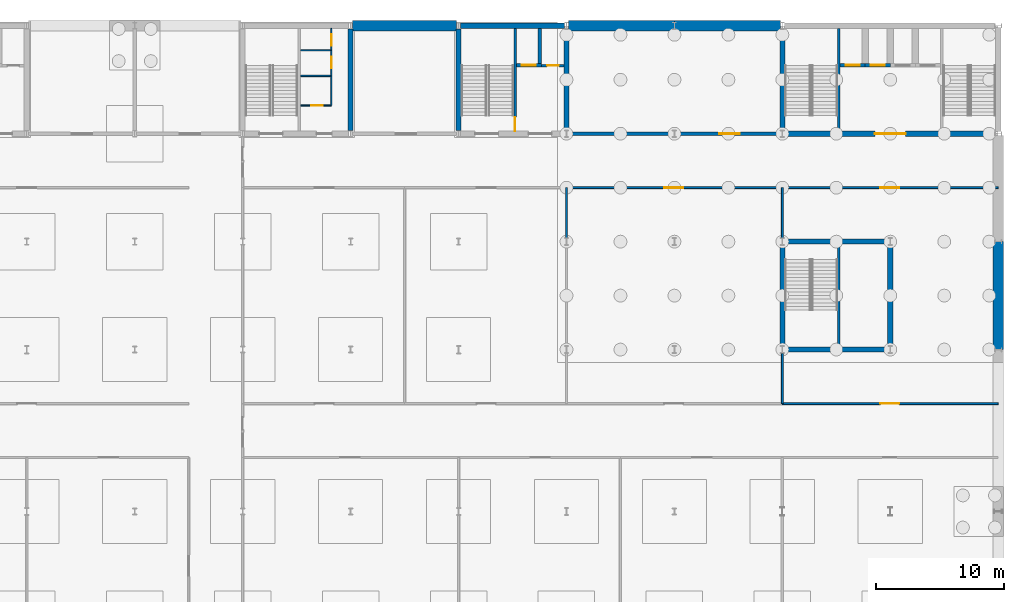
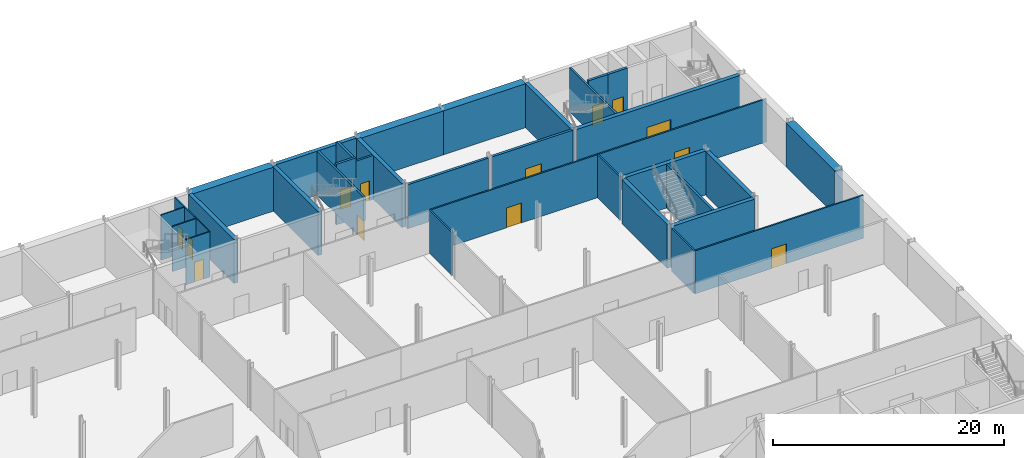
# One storey, part 18 of 22: 36 walls, 13 doors, 13 openings.
"""IFC4 building model written with IfcOpenShell, lengths in metres."""

from ifc_helpers import new_model, si_unit, direction, frame, frame_2d, origin, place, context, subcontext, project, spatial, rectangle, extrude, material, layer, layer_set, type_object, element, fill, save


model = new_model("IFC4")

# Units and contexts
model_context = context("Model", 3, precision=1e-05, world=origin(), true_north=direction((0.0, 1.0)))
body_context = subcontext(model_context, "Body", "Model", "MODEL_VIEW")
ifc_project = project(units=[si_unit("LENGTHUNIT", "METRE"), si_unit("AREAUNIT", "SQUARE_METRE"), si_unit("VOLUMEUNIT", "CUBIC_METRE"), si_unit("PLANEANGLEUNIT", "RADIAN"), si_unit("MASSUNIT", "GRAM", prefix="KILO")], contexts=[model_context])

# Site, building, storey
site_placement = place(None, origin())
site = spatial("IfcSite", under=ifc_project, at=site_placement, CompositionType="ELEMENT")
building_placement = place(site_placement, origin())
building = spatial("IfcBuilding", under=site, at=building_placement, Name="Galleria Vessillo Department Store", CompositionType="ELEMENT")
storey_placement = place(building_placement, frame((0.0, 0.0, -9.89990234375)))
storey = spatial("IfcBuildingStorey", under=building, at=storey_placement, Name="B2", CompositionType="ELEMENT", Elevation=-9.89990234375)

# Walls
ifc_material_1 = material(Name="Concrete C32/40 reinforced", Category="concrete")
ifc_layer_1 = layer(ifc_material_1, 0.800048828125)
ifc_layer_set_1 = layer_set([ifc_layer_1], Name="Concrete C32/40 reinforced")
wall_type_1 = type_object("IfcWallType", Name="Diaphragm wall 800 mm", PredefinedType="SOLIDWALL", material=ifc_layer_set_1)
wall_1_placement = place(storey_placement, frame((67.349853515625, 63.0, 0.0), z_axis=(0.0, 0.0, 1.0), x_axis=(1.0, 0.0, 0.0)))
element("IfcWall", 1, at=wall_1_placement, inside=storey, type_object=wall_type_1, Name="S-BW-N-B2-06", PredefinedType="SOLIDWALL", context=body_context, shape_type="SweptSolid", body=[
    extrude(rectangle(XDim=8.100341796875, YDim=0.800048828125, at=frame_2d((4.05029296875, 0.0))), origin(), (0.0, 0.0, 1.0), 4.64990234375),
])
wall_2_placement = place(storey_placement, frame((84.153076171875, 63.0, 0.0), z_axis=(0.0, 0.0, 1.0), x_axis=(1.0, 0.0, 0.0)))
element("IfcWall", 2, at=wall_2_placement, inside=storey, type_object=wall_type_1, Name="S-BW-N-B2-07", PredefinedType="SOLIDWALL", context=body_context, shape_type="SweptSolid", body=[
    extrude(rectangle(XDim=8.246826171875, YDim=0.800048828125, at=frame_2d((4.12353515625, 0.0))), origin(), (0.0, 0.0, 1.0), 4.64990234375),
])
wall_3_placement = place(storey_placement, frame((92.39990234375, 63.0, 0.0), z_axis=(0.0, 0.0, 1.0), x_axis=(1.0, 0.0, 0.0)))
element("IfcWall", 3, at=wall_3_placement, inside=storey, type_object=wall_type_1, Name="S-BW-N-B2-08", PredefinedType="SOLIDWALL", context=body_context, shape_type="SweptSolid", body=[
    extrude(rectangle(XDim=8.2470703125, YDim=0.800048828125, at=frame_2d((4.12353515625, 0.0))), origin(), (0.0, 0.0, 1.0), 4.64990234375),
])
wall_4_placement = place(storey_placement, frame((117.60009765625, 37.800048828125, 0.0), z_axis=(0.0, 0.0, 1.0), x_axis=(0.0, 1.0, 0.0)))
element("IfcWall", 4, at=wall_4_placement, inside=storey, type_object=wall_type_1, Name="S-BW-E-B2-04", PredefinedType="SOLIDWALL", context=body_context, shape_type="SweptSolid", body=[
    extrude(rectangle(XDim=8.39990234375, YDim=0.800048828125, at=frame_2d((4.199951171875, 0.0))), origin(), (0.0, 0.0, 1.0), 4.64990234375),
])

# Wall, opening, door
ifc_material_2 = material(Name="Solid clay block masonry", Category="masonry")
ifc_layer_2 = layer(ifc_material_2, 0.25)
ifc_layer_set_2 = layer_set([ifc_layer_2], Name="Solid clay block masonry")
wall_type_2 = type_object("IfcWallType", Name="Lift shaft wall 250 mm", PredefinedType="SOLIDWALL", material=ifc_layer_set_2)
wall_5_placement = place(storey_placement, frame((80.10009765625, 59.925048828125, -1.400146484375), z_axis=(0.0, 0.0, 1.0), x_axis=(1.0, 0.0, 0.0)))
wall_5 = element("IfcWall", 5, at=wall_5_placement, inside=storey, type_object=wall_type_2, Name="Lift shaft wall LP6 landing side B2", PredefinedType="SOLIDWALL", context=body_context, shape_type="SweptSolid", body=[
    extrude(rectangle(XDim=1.949951171875, YDim=0.25, at=frame_2d((0.97509765625, 0.0))), origin(), (0.0, 0.0, 1.0), 6.400146484375),
])
opening_1_placement = place(wall_5_placement, frame((0.4248046875, 0.0, 1.400146484375)))
opening_1 = element("IfcOpeningElement", 6, at=opening_1_placement, cuts=wall_5, Name="Opening LD041", PredefinedType="OPENING", context=body_context, shape_type="SweptSolid", body=[
    extrude(rectangle(XDim=1.10009765625, YDim=2.10009765625, at=frame_2d((0.550048828125, 1.050048828125))), frame((0.0, 0.135009765625, 0.0), z_axis=(0.0, -1.0, 0.0), x_axis=(1.0, 0.0, 0.0)), (0.0, 0.0, 1.0), 0.27001953125),
])
ifc_material_3 = material(Name="Stainless steel lift door panel", Category="steel")
door_type_1 = type_object("IfcDoorType", Name="Lift landing door LD110 sliding 1100 x 2100", OperationType="SLIDING_TO_LEFT", PredefinedType="DOOR", material=ifc_material_3)
door_1_placement = place(opening_1_placement, frame((1.10009765625, 0.0, 0.0), z_axis=(0.0, 0.0, 1.0), x_axis=(-1.0, 0.0, 0.0)))
door_1 = element("IfcDoor", 7, at=door_1_placement, inside=storey, type_object=door_type_1, Name="Lift landing door LP6 B2", OperationType="SLIDING_TO_RIGHT", OverallHeight=2.10009765625, OverallWidth=1.10009765625, PredefinedType="DOOR", context=body_context, shape_type="SweptSolid", body=[
    extrude(rectangle(XDim=1.10009765625, YDim=2.10009765625, at=frame_2d((0.550048828125, 1.050048828125))), frame((0.0, 0.02490234375, 0.0), z_axis=(0.0, -1.0, 0.0), x_axis=(1.0, 0.0, 0.0)), (0.0, 0.0, 1.0), 0.050048828125),
])
fill(opening_1, door_1)

# Wall
wall_6_placement = place(storey_placement, frame((81.925048828125, 62.800048828125, -1.400146484375), z_axis=(0.0, 0.0, 1.0), x_axis=(0.0, -1.0, 0.0)))
element("IfcWall", 8, at=wall_6_placement, inside=storey, type_object=wall_type_2, Name="Lift shaft wall LP6 B2", PredefinedType="SOLIDWALL", context=body_context, shape_type="SweptSolid", body=[
    extrude(rectangle(XDim=2.75, YDim=0.25, at=frame_2d((1.375, 0.0))), origin(), (0.0, 0.0, 1.0), 6.400146484375),
])

# Wall, opening, door
wall_7_placement = place(storey_placement, frame((105.300048828125, 59.925048828125, -1.400146484375), z_axis=(0.0, 0.0, 1.0), x_axis=(1.0, 0.0, 0.0)))
wall_7 = element("IfcWall", 9, at=wall_7_placement, inside=storey, type_object=wall_type_2, Name="Lift shaft wall T1 landing side B2", PredefinedType="SOLIDWALL", context=body_context, shape_type="SweptSolid", body=[
    extrude(rectangle(XDim=1.949951171875, YDim=0.25, at=frame_2d((0.97509765625, 0.0))), origin(), (0.0, 0.0, 1.0), 6.400146484375),
])
opening_2_placement = place(wall_7_placement, frame((0.4248046875, 0.0, 1.400146484375)))
opening_2 = element("IfcOpeningElement", 10, at=opening_2_placement, cuts=wall_7, Name="Opening LD065", PredefinedType="OPENING", context=body_context, shape_type="SweptSolid", body=[
    extrude(rectangle(XDim=1.10009765625, YDim=2.10009765625, at=frame_2d((0.550048828125, 1.050048828125))), frame((0.0, 0.135009765625, 0.0), z_axis=(0.0, -1.0, 0.0), x_axis=(1.0, 0.0, 0.0)), (0.0, 0.0, 1.0), 0.27001953125),
])
door_2_placement = place(opening_2_placement, frame((1.10009765625, 0.0, 0.0), z_axis=(0.0, 0.0, 1.0), x_axis=(-1.0, 0.0, 0.0)))
door_2 = element("IfcDoor", 11, at=door_2_placement, inside=storey, type_object=door_type_1, Name="Lift landing door T1 B2", OperationType="SLIDING_TO_RIGHT", OverallHeight=2.10009765625, OverallWidth=1.10009765625, PredefinedType="DOOR", context=body_context, shape_type="SweptSolid", body=[
    extrude(rectangle(XDim=1.10009765625, YDim=2.10009765625, at=frame_2d((0.550048828125, 1.050048828125))), frame((0.0, 0.02490234375, 0.0), z_axis=(0.0, -1.0, 0.0), x_axis=(1.0, 0.0, 0.0)), (0.0, 0.0, 1.0), 0.050048828125),
])
fill(opening_2, door_2)

wall_8_placement = place(storey_placement, frame((107.25, 59.925048828125, -1.400146484375), z_axis=(0.0, 0.0, 1.0), x_axis=(1.0, 0.0, 0.0)))
wall_8 = element("IfcWall", 12, at=wall_8_placement, inside=storey, type_object=wall_type_2, Name="Lift shaft wall T2 landing side B2", PredefinedType="SOLIDWALL", context=body_context, shape_type="SweptSolid", body=[
    extrude(rectangle(XDim=1.949951171875, YDim=0.25, at=frame_2d((0.97509765625, 0.0))), origin(), (0.0, 0.0, 1.0), 6.400146484375),
])
opening_3_placement = place(wall_8_placement, frame((0.425048828125, 0.0, 1.400146484375)))
opening_3 = element("IfcOpeningElement", 13, at=opening_3_placement, cuts=wall_8, Name="Opening LD066", PredefinedType="OPENING", context=body_context, shape_type="SweptSolid", body=[
    extrude(rectangle(XDim=1.10009765625, YDim=2.10009765625, at=frame_2d((0.550048828125, 1.050048828125))), frame((0.0, 0.135009765625, 0.0), z_axis=(0.0, -1.0, 0.0), x_axis=(1.0, 0.0, 0.0)), (0.0, 0.0, 1.0), 0.27001953125),
])
door_3_placement = place(opening_3_placement, frame((1.10009765625, 0.0, 0.0), z_axis=(0.0, 0.0, 1.0), x_axis=(-1.0, 0.0, 0.0)))
door_3 = element("IfcDoor", 14, at=door_3_placement, inside=storey, type_object=door_type_1, Name="Lift landing door T2 B2", OperationType="SLIDING_TO_RIGHT", OverallHeight=2.10009765625, OverallWidth=1.10009765625, PredefinedType="DOOR", context=body_context, shape_type="SweptSolid", body=[
    extrude(rectangle(XDim=1.10009765625, YDim=2.10009765625, at=frame_2d((0.550048828125, 1.050048828125))), frame((0.0, 0.02490234375, 0.0), z_axis=(0.0, -1.0, 0.0), x_axis=(1.0, 0.0, 0.0)), (0.0, 0.0, 1.0), 0.050048828125),
])
fill(opening_3, door_3)

# Wall
ifc_material_4 = material(Name="Brick masonry", Category="masonry")
ifc_layer_3 = layer(ifc_material_4, 0.25)
ifc_layer_set_3 = layer_set([ifc_layer_3], Name="Brick masonry")
wall_type_3 = type_object("IfcWallType", Name="Plant room masonry wall 250 mm", PredefinedType="SOLIDWALL", material=ifc_layer_set_3)
wall_9_placement = place(storey_placement, frame((84.153076171875, 54.60009765625, 0.0), z_axis=(0.0, 0.0, 1.0), x_axis=(1.0, 0.0, 0.0)))
element("IfcWall", 15, at=wall_9_placement, inside=storey, type_object=wall_type_3, Name="Partition wall PT10 on B2 no. 062", PredefinedType="SOLIDWALL", context=body_context, shape_type="SweptSolid", body=[
    extrude(rectangle(XDim=8.09375, YDim=0.25, at=frame_2d((4.046875, 0.0))), origin(), (0.0, 0.0, 1.0), 4.64990234375),
])

# Wall, opening, door
wall_10_placement = place(storey_placement, frame((92.552978515625, 54.60009765625, 0.0), z_axis=(0.0, 0.0, 1.0), x_axis=(1.0, 0.0, 0.0)))
wall_10 = element("IfcWall", 16, at=wall_10_placement, inside=storey, type_object=wall_type_3, Name="Partition wall PT10 on B2 no. 063", PredefinedType="SOLIDWALL", context=body_context, shape_type="SweptSolid", body=[
    extrude(rectangle(XDim=8.093994140625, YDim=0.25, at=frame_2d((4.046875, 0.0))), origin(), (0.0, 0.0, 1.0), 4.64990234375),
])
opening_4_placement = place(wall_10_placement, frame((3.35009765625, 0.0, 0.0)))
opening_4 = element("IfcOpeningElement", 17, at=opening_4_placement, cuts=wall_10, Name="Opening D2058", PredefinedType="OPENING", context=body_context, shape_type="SweptSolid", body=[
    extrude(rectangle(XDim=1.60009765625, YDim=2.199951171875, at=frame_2d((0.800048828125, 1.10009765625))), frame((0.0, 0.135009765625, 0.0), z_axis=(0.0, -1.0, 0.0), x_axis=(1.0, 0.0, 0.0)), (0.0, 0.0, 1.0), 0.27001953125),
])
ifc_material_5 = material(Name="Steel fire door leaf", Category="steel")
door_type_2 = type_object("IfcDoorType", Name="Plant room fire door 1600 x 2200 double leaf", OperationType="DOUBLE_DOOR_SINGLE_SWING", PredefinedType="DOOR", material=ifc_material_5)
door_4_placement = place(opening_4_placement, origin())
door_4 = element("IfcDoor", 18, at=door_4_placement, inside=storey, type_object=door_type_2, Name="Door D2058", OperationType="DOUBLE_DOOR_SINGLE_SWING", OverallHeight=2.199951171875, OverallWidth=1.60009765625, PredefinedType="DOOR", context=body_context, shape_type="SweptSolid", body=[
    extrude(rectangle(XDim=1.60009765625, YDim=2.199951171875, at=frame_2d((0.800048828125, 1.10009765625))), frame((0.0, 0.02490234375, 0.0), z_axis=(0.0, -1.0, 0.0), x_axis=(1.0, 0.0, 0.0)), (0.0, 0.0, 1.0), 0.050048828125),
])
fill(opening_4, door_4)

# Walls
ifc_material_6 = material(Name="Concrete C32/40 reinforced", Category="concrete")
ifc_layer_4 = layer(ifc_material_6, 0.39990234375)
ifc_layer_set_4 = layer_set([ifc_layer_4], Name="Concrete C32/40 reinforced")
wall_type_4 = type_object("IfcWallType", Name="Reinforced concrete core wall 400 mm", PredefinedType="SHEAR", material=ifc_layer_set_4)
wall_11_placement = place(storey_placement, frame((75.60009765625, 54.85009765625, 0.0), z_axis=(0.0, 0.0, 1.0), x_axis=(0.0, 1.0, 0.0)))
element("IfcWall", 19, at=wall_11_placement, inside=storey, type_object=wall_type_4, Name="S-CW-PC-NE-WEST-B2", PredefinedType="SHEAR", context=body_context, shape_type="SweptSolid", body=[
    extrude(rectangle(XDim=7.89990234375, YDim=0.39990234375, at=frame_2d((3.949951171875, 0.0))), origin(), (0.0, 0.0, 1.0), 4.64990234375),
])
wall_12_placement = place(storey_placement, frame((84.0, 54.885986328125, 0.0), z_axis=(0.0, 0.0, 1.0), x_axis=(0.0, 1.0, 0.0)))
element("IfcWall", 20, at=wall_12_placement, inside=storey, type_object=wall_type_4, Name="S-CW-PC-NE-EAST-B2", PredefinedType="SHEAR", context=body_context, shape_type="SweptSolid", body=[
    extrude(rectangle(XDim=7.828125, YDim=0.39990234375, at=frame_2d((3.9140625, 0.0))), origin(), (0.0, 0.0, 1.0), 4.64990234375),
])
wall_13_placement = place(storey_placement, frame((67.199951171875, 54.85009765625, 0.0), z_axis=(0.0, 0.0, 1.0), x_axis=(0.0, 1.0, 0.0)))
element("IfcWall", 21, at=wall_13_placement, inside=storey, type_object=wall_type_4, Name="S-CW-PC-NC-EAST-B2", PredefinedType="SHEAR", context=body_context, shape_type="SweptSolid", body=[
    extrude(rectangle(XDim=7.89990234375, YDim=0.39990234375, at=frame_2d((3.949951171875, 0.0))), origin(), (0.0, 0.0, 1.0), 4.64990234375),
])

# Wall, opening, door
wall_14_placement = place(storey_placement, frame((100.953125, 54.60009765625, 0.0), z_axis=(0.0, 0.0, 1.0), x_axis=(1.0, 0.0, 0.0)))
wall_14 = element("IfcWall", 22, at=wall_14_placement, inside=storey, type_object=wall_type_4, Name="S-CW-TC-INTERIOR-B2", PredefinedType="SHEAR", context=body_context, shape_type="SweptSolid", body=[
    extrude(rectangle(XDim=16.361083984375, YDim=0.39990234375, at=frame_2d((8.1806640625, 0.0))), origin(), (0.0, 0.0, 1.0), 4.64990234375),
])
opening_5_placement = place(wall_14_placement, frame((7.046875, 0.0, 0.0)))
opening_5 = element("IfcOpeningElement", 23, at=opening_5_placement, cuts=wall_14, Name="Opening D5259", PredefinedType="OPENING", context=body_context, shape_type="SweptSolid", body=[
    extrude(rectangle(XDim=2.39990234375, YDim=2.39990234375, at=frame_2d((1.199951171875, 1.199951171875))), frame((0.0, 0.2099609375, 0.0), z_axis=(0.0, -1.0, 0.0), x_axis=(1.0, 0.0, 0.0)), (0.0, 0.0, 1.0), 0.419921875),
])
ifc_material_7 = material(Name="Fire-rated steel door leaf", Category="steel")
door_type_3 = type_object("IfcDoorType", Name="Door D240F double leaf 2400 x 2400", OperationType="DOUBLE_DOOR_SINGLE_SWING", PredefinedType="DOOR", material=ifc_material_7)
door_5_placement = place(opening_5_placement, frame((2.39990234375, 0.0, 0.0), z_axis=(0.0, 0.0, 1.0), x_axis=(-1.0, 0.0, 0.0)))
door_5 = element("IfcDoor", 24, at=door_5_placement, inside=storey, type_object=door_type_3, Name="Lobby door TC-LOBBY-FLOOR B2", OperationType="DOUBLE_DOOR_SINGLE_SWING", OverallHeight=2.39990234375, OverallWidth=2.39990234375, PredefinedType="DOOR", context=body_context, shape_type="SweptSolid", body=[
    extrude(rectangle(XDim=2.39990234375, YDim=2.39990234375, at=frame_2d((1.199951171875, 1.199951171875))), frame((0.0, 0.02490234375, 0.0), z_axis=(0.0, -1.0, 0.0), x_axis=(1.0, 0.0, 0.0)), (0.0, 0.0, 1.0), 0.050048828125),
])
fill(opening_5, door_5)

# Walls
wall_15_placement = place(storey_placement, frame((100.800048828125, 54.885986328125, 0.0), z_axis=(0.0, 0.0, 1.0), x_axis=(0.0, 1.0, 0.0)))
element("IfcWall", 25, at=wall_15_placement, inside=storey, type_object=wall_type_4, Name="S-CW-TC-WEST-B2", PredefinedType="SHEAR", context=body_context, shape_type="SweptSolid", body=[
    extrude(rectangle(XDim=7.828125, YDim=0.39990234375, at=frame_2d((3.9140625, 0.0))), origin(), (0.0, 0.0, 1.0), 4.64990234375),
])
for number, where, z_axis, x_axis, name in (
    (26, (100.953125, 37.800048828125, 0.0), (0.0, 0.0, 1.0), (1.0, 0.0, 0.0), "S-CW-TS-PARTY-B2"),
    (27, (100.953125, 46.199951171875, 0.0), (0.0, 0.0, 1.0), (1.0, 0.0, 0.0), "S-CW-TS-INTERIOR-B2"),
):
    element("IfcWall", number, at=place(storey_placement, frame(where, z_axis=z_axis, x_axis=x_axis)), inside=storey, type_object=wall_type_4, Name=name, PredefinedType="SHEAR", context=body_context, shape_type="SweptSolid", body=[
        extrude(rectangle(XDim=8.09375, YDim=0.39990234375, at=frame_2d((4.046875, 0.0))), origin(), (0.0, 0.0, 1.0), 4.64990234375),
    ])
for number, where, z_axis, x_axis, name in (
    (28, (100.800048828125, 38.0859375, 0.0), (0.0, 0.0, 1.0), (0.0, 1.0, 0.0), "S-CW-TS-WEST-B2"),
    (29, (109.199951171875, 38.0859375, 0.0), (0.0, 0.0, 1.0), (0.0, 1.0, 0.0), "S-CW-TS-EAST-B2"),
):
    element("IfcWall", number, at=place(storey_placement, frame(where, z_axis=z_axis, x_axis=x_axis)), inside=storey, type_object=wall_type_4, Name=name, PredefinedType="SHEAR", context=body_context, shape_type="SweptSolid", body=[
        extrude(rectangle(XDim=7.828125, YDim=0.39990234375, at=frame_2d((3.9140625, 0.0))), origin(), (0.0, 0.0, 1.0), 4.64990234375),
    ])
ifc_material_8 = material(Name="Concrete C32/40 reinforced", Category="concrete")
ifc_layer_5 = layer(ifc_material_8, 0.39990234375)
ifc_layer_set_5 = layer_set([ifc_layer_5], Name="Concrete C32/40 reinforced")
wall_type_5 = type_object("IfcWallType", Name="Reinforced concrete core wall 400 mm, external", PredefinedType="SHEAR", material=ifc_layer_set_5)
wall_16_placement = place(storey_placement, frame((75.75, 63.0, 0.0), z_axis=(0.0, 0.0, 1.0), x_axis=(1.0, 0.0, 0.0)))
element("IfcWall", 30, at=wall_16_placement, inside=storey, type_object=wall_type_5, Name="S-CW-PC-NE-PARTY-B2", PredefinedType="SHEAR", context=body_context, shape_type="SweptSolid", body=[
    extrude(rectangle(XDim=8.096923828125, YDim=0.39990234375, at=frame_2d((4.04833984375, 0.0))), origin(), (0.0, 0.0, 1.0), 4.64990234375),
])

# Wall, opening, door
ifc_material_9 = material(Name="Concrete C32/40 reinforced", Category="concrete")
ifc_layer_6 = layer(ifc_material_9, 0.199951171875)
ifc_layer_set_6 = layer_set([ifc_layer_6], Name="Concrete C32/40 reinforced")
wall_type_6 = type_object("IfcWallType", Name="Reinforced concrete stair enclosure wall 200 mm", PredefinedType="SHEAR", material=ifc_layer_set_6)
wall_17_placement = place(storey_placement, frame((80.0, 62.800048828125, 0.0), z_axis=(0.0, 0.0, 1.0), x_axis=(0.0, -1.0, 0.0)))
wall_17 = element("IfcWall", 31, at=wall_17_placement, inside=storey, type_object=wall_type_6, Name="Stair enclosure wall PC-NE B2", PredefinedType="SHEAR", context=body_context, shape_type="SweptSolid", body=[
    extrude(rectangle(XDim=8.0, YDim=0.199951171875, at=frame_2d((4.0, 0.0))), origin(), (0.0, 0.0, 1.0), 4.64990234375),
])
opening_6_placement = place(wall_17_placement, frame((6.89990234375, 0.0, 0.0)))
opening_6 = element("IfcOpeningElement", 32, at=opening_6_placement, cuts=wall_17, Name="Opening D5158", PredefinedType="OPENING", context=body_context, shape_type="SweptSolid", body=[
    extrude(rectangle(XDim=1.11009765625, YDim=2.10009765625, at=frame_2d((0.554931640625, 1.050048828125))), frame((0.0, 0.10986328125, 0.0), z_axis=(0.0, -1.0, 0.0), x_axis=(1.0, 0.0, 0.0)), (0.0, 0.0, 1.0), 0.219970703125),
])
ifc_material_10 = material(Name="Fire-rated steel door leaf", Category="steel")
door_type_4 = type_object("IfcDoorType", Name="Door D110F stair door 1100 x 2100", OperationType="SINGLE_SWING_LEFT", PredefinedType="DOOR", material=ifc_material_10)
door_6_placement = place(opening_6_placement, frame((1.10009765625, 0.0, 0.0), z_axis=(0.0, 0.0, 1.0), x_axis=(-1.0, 0.0, 0.0)))
door_6 = element("IfcDoor", 33, at=door_6_placement, inside=storey, type_object=door_type_4, Name="Stair door PC-NE-ST-LOBBY B2", OperationType="SINGLE_SWING_LEFT", OverallHeight=2.10009765625, OverallWidth=1.10009765625, PredefinedType="DOOR", context=body_context, shape_type="SweptSolid", body=[
    extrude(rectangle(XDim=1.10009765625, YDim=2.10009765625, at=frame_2d((0.550048828125, 1.050048828125))), frame((0.0, 0.02490234375, 0.0), z_axis=(0.0, -1.0, 0.0), x_axis=(1.0, 0.0, 0.0)), (0.0, 0.0, 1.0), 0.050048828125),
])
fill(opening_6, door_6)

# Walls
for number, where, z_axis, x_axis, name in (
    (34, (105.199951171875, 62.800048828125, 0.0), (0.0, 0.0, 1.0), (0.0, -1.0, 0.0), "Stair enclosure wall TC B2"),
    (35, (105.199951171875, 38.0, 0.0), (0.0, 0.0, 1.0), (0.0, 1.0, 0.0), "Stair enclosure wall TS B2"),
):
    element("IfcWall", number, at=place(storey_placement, frame(where, z_axis=z_axis, x_axis=x_axis)), inside=storey, type_object=wall_type_6, Name=name, PredefinedType="SHEAR", context=body_context, shape_type="SweptSolid", body=[
        extrude(rectangle(XDim=8.0, YDim=0.199951171875, at=frame_2d((4.0, 0.0))), origin(), (0.0, 0.0, 1.0), 4.64990234375),
    ])

# Wall, opening, door
ifc_material_11 = material(Name="Hollow clay block masonry", Category="masonry")
ifc_layer_7 = layer(ifc_material_11, 0.199951171875)
ifc_layer_set_7 = layer_set([ifc_layer_7], Name="Hollow clay block masonry")
wall_type_7 = type_object("IfcWallType", Name="Riser and service room wall 200 mm", PredefinedType="PARTITIONING", material=ifc_layer_set_7)
wall_18_placement = place(storey_placement, frame((82.050048828125, 59.900146484375, 0.0), z_axis=(0.0, 0.0, 1.0), x_axis=(1.0, 0.0, 0.0)))
wall_18 = element("IfcWall", 36, at=wall_18_placement, inside=storey, type_object=wall_type_7, Name="Riser wall PC-NE-RISER B2", PredefinedType="PARTITIONING", context=body_context, shape_type="SweptSolid", body=[
    extrude(rectangle(XDim=1.75, YDim=0.199951171875, at=frame_2d((0.875, 0.0))), origin(), (0.0, 0.0, 1.0), 4.64990234375),
])
opening_7_placement = place(wall_18_placement, frame((0.449951171875, 0.0, 0.0)))
opening_7 = element("IfcOpeningElement", 37, at=opening_7_placement, cuts=wall_18, Name="Opening D5159", PredefinedType="OPENING", context=body_context, shape_type="SweptSolid", body=[
    extrude(rectangle(XDim=0.89990234375, YDim=2.10009765625, at=frame_2d((0.449951171875, 1.050048828125))), frame((0.0, 0.10986328125, 0.0), z_axis=(0.0, -1.0, 0.0), x_axis=(1.0, 0.0, 0.0)), (0.0, 0.0, 1.0), 0.219970703125),
])
ifc_material_12 = material(Name="Fire-rated steel door leaf", Category="steel")
door_type_5 = type_object("IfcDoorType", Name="Door DR90 riser access 900 x 2100", OperationType="SINGLE_SWING_LEFT", PredefinedType="DOOR", material=ifc_material_12)
door_7_placement = place(opening_7_placement, origin())
door_7 = element("IfcDoor", 38, at=door_7_placement, inside=storey, type_object=door_type_5, Name="Riser door PC-NE-RISER-D B2", OperationType="SINGLE_SWING_RIGHT", OverallHeight=2.10009765625, OverallWidth=0.89990234375, PredefinedType="DOOR", context=body_context, shape_type="SweptSolid", body=[
    extrude(rectangle(XDim=0.89990234375, YDim=2.10009765625, at=frame_2d((0.449951171875, 1.050048828125))), frame((0.0, 0.02490234375, 0.0), z_axis=(0.0, -1.0, 0.0), x_axis=(1.0, 0.0, 0.0)), (0.0, 0.0, 1.0), 0.050048828125),
])
fill(opening_7, door_7)

ifc_material_13 = material(Name="Concrete blockwork", Category="masonry")
ifc_layer_8 = layer(ifc_material_13, 0.14990234375)
ifc_layer_set_8 = layer_set([ifc_layer_8], Name="Concrete blockwork")
wall_type_8 = type_object("IfcWallType", Name="Stockroom blockwork wall 150 mm", PredefinedType="SOLIDWALL", material=ifc_layer_set_8)
wall_19_placement = place(storey_placement, frame((100.800048828125, 33.60009765625, 0.0), z_axis=(0.0, 0.0, 1.0), x_axis=(1.0, 0.0, 0.0)))
wall_19 = element("IfcWall", 39, at=wall_19_placement, inside=storey, type_object=wall_type_8, Name="Partition wall PT4 on B2 no. 045", PredefinedType="SOLIDWALL", context=body_context, shape_type="SweptSolid", body=[
    extrude(rectangle(XDim=16.800048828125, YDim=0.14990234375, at=frame_2d((8.39990234375, 0.0))), origin(), (0.0, 0.0, 1.0), 4.550048828125),
])
opening_8_placement = place(wall_19_placement, frame((7.60009765625, 0.0, 0.0)))
opening_8 = element("IfcOpeningElement", 40, at=opening_8_placement, cuts=wall_19, Name="Opening D2041", PredefinedType="OPENING", context=body_context, shape_type="SweptSolid", body=[
    extrude(rectangle(XDim=1.5, YDim=2.10009765625, at=frame_2d((0.75, 1.050048828125))), frame((0.0, 0.0849609375, 0.0), z_axis=(0.0, -1.0, 0.0), x_axis=(1.0, 0.0, 0.0)), (0.0, 0.0, 1.0), 0.169921875),
])
ifc_material_14 = material(Name="Steel fire door leaf", Category="steel")
door_type_6 = type_object("IfcDoorType", Name="Stockroom fire door 1500 double leaf", OperationType="DOUBLE_DOOR_SINGLE_SWING", PredefinedType="DOOR", material=ifc_material_14)
door_8_placement = place(opening_8_placement, origin())
door_8 = element("IfcDoor", 41, at=door_8_placement, inside=storey, type_object=door_type_6, Name="Door D2041", OperationType="DOUBLE_DOOR_SINGLE_SWING", OverallHeight=2.10009765625, OverallWidth=1.5, PredefinedType="DOOR", context=body_context, shape_type="SweptSolid", body=[
    extrude(rectangle(XDim=1.5, YDim=2.10009765625, at=frame_2d((0.75, 1.050048828125))), frame((0.0, 0.02490234375, 0.0), z_axis=(0.0, -1.0, 0.0), x_axis=(1.0, 0.0, 0.0)), (0.0, 0.0, 1.0), 0.050048828125),
])
fill(opening_8, door_8)

wall_20_placement = place(storey_placement, frame((84.0, 50.39990234375, 0.0), z_axis=(0.0, 0.0, 1.0), x_axis=(1.0, 0.0, 0.0)))
wall_20 = element("IfcWall", 42, at=wall_20_placement, inside=storey, type_object=wall_type_8, Name="Partition wall PT4 on B2 no. 059", PredefinedType="SOLIDWALL", context=body_context, shape_type="SweptSolid", body=[
    extrude(rectangle(XDim=16.800048828125, YDim=0.14990234375, at=frame_2d((8.39990234375, 0.0))), origin(), (0.0, 0.0, 1.0), 4.550048828125),
])
opening_9_placement = place(wall_20_placement, frame((7.60009765625, 0.0, 0.0)))
opening_9 = element("IfcOpeningElement", 43, at=opening_9_placement, cuts=wall_20, Name="Opening D2055", PredefinedType="OPENING", context=body_context, shape_type="SweptSolid", body=[
    extrude(rectangle(XDim=1.5, YDim=2.10009765625, at=frame_2d((0.75, 1.050048828125))), frame((0.0, 0.0849609375, 0.0), z_axis=(0.0, -1.0, 0.0), x_axis=(1.0, 0.0, 0.0)), (0.0, 0.0, 1.0), 0.169921875),
])
door_9_placement = place(opening_9_placement, frame((1.5, 0.0, 0.0), z_axis=(0.0, 0.0, 1.0), x_axis=(-1.0, 0.0, 0.0)))
door_9 = element("IfcDoor", 44, at=door_9_placement, inside=storey, type_object=door_type_6, Name="Door D2055", OperationType="DOUBLE_DOOR_SINGLE_SWING", OverallHeight=2.10009765625, OverallWidth=1.5, PredefinedType="DOOR", context=body_context, shape_type="SweptSolid", body=[
    extrude(rectangle(XDim=1.5, YDim=2.10009765625, at=frame_2d((0.75, 1.050048828125))), frame((0.0, 0.02490234375, 0.0), z_axis=(0.0, -1.0, 0.0), x_axis=(1.0, 0.0, 0.0)), (0.0, 0.0, 1.0), 0.050048828125),
])
fill(opening_9, door_9)

wall_21_placement = place(storey_placement, frame((100.800048828125, 50.39990234375, 0.0), z_axis=(0.0, 0.0, 1.0), x_axis=(1.0, 0.0, 0.0)))
wall_21 = element("IfcWall", 45, at=wall_21_placement, inside=storey, type_object=wall_type_8, Name="Partition wall PT4 on B2 no. 060", PredefinedType="SOLIDWALL", context=body_context, shape_type="SweptSolid", body=[
    extrude(rectangle(XDim=16.800048828125, YDim=0.14990234375, at=frame_2d((8.39990234375, 0.0))), origin(), (0.0, 0.0, 1.0), 4.550048828125),
])
opening_10_placement = place(wall_21_placement, frame((7.60009765625, 0.0, 0.0)))
opening_10 = element("IfcOpeningElement", 46, at=opening_10_placement, cuts=wall_21, Name="Opening D2056", PredefinedType="OPENING", context=body_context, shape_type="SweptSolid", body=[
    extrude(rectangle(XDim=1.5, YDim=2.10009765625, at=frame_2d((0.75, 1.050048828125))), frame((0.0, 0.0849609375, 0.0), z_axis=(0.0, -1.0, 0.0), x_axis=(1.0, 0.0, 0.0)), (0.0, 0.0, 1.0), 0.169921875),
])
door_10_placement = place(opening_10_placement, frame((1.5, 0.0, 0.0), z_axis=(0.0, 0.0, 1.0), x_axis=(-1.0, 0.0, 0.0)))
door_10 = element("IfcDoor", 47, at=door_10_placement, inside=storey, type_object=door_type_6, Name="Door D2056", OperationType="DOUBLE_DOOR_SINGLE_SWING", OverallHeight=2.10009765625, OverallWidth=1.5, PredefinedType="DOOR", context=body_context, shape_type="SweptSolid", body=[
    extrude(rectangle(XDim=1.5, YDim=2.10009765625, at=frame_2d((0.75, 1.050048828125))), frame((0.0, 0.02490234375, 0.0), z_axis=(0.0, -1.0, 0.0), x_axis=(1.0, 0.0, 0.0)), (0.0, 0.0, 1.0), 0.050048828125),
])
fill(opening_10, door_10)

# Walls
for number, where, z_axis, x_axis, name in (
    (48, (84.0, 46.48583984375, 0.0), (0.0, 0.0, 1.0), (0.0, 1.0, 0.0), "Partition wall PT4 on B2 no. 095"),
    (49, (100.800048828125, 33.60009765625, 0.0), (0.0, 0.0, 1.0), (0.0, 1.0, 0.0), "Partition wall PT4 on B2 no. 096"),
    (50, (100.800048828125, 46.48583984375, 0.0), (0.0, 0.0, 1.0), (0.0, 1.0, 0.0), "Partition wall PT4 on B2 no. 097"),
):
    element("IfcWall", number, at=place(storey_placement, frame(where, z_axis=z_axis, x_axis=x_axis)), inside=storey, type_object=wall_type_8, Name=name, PredefinedType="SOLIDWALL", context=body_context, shape_type="SweptSolid", body=[
        extrude(rectangle(XDim=3.9140625, YDim=0.14990234375, at=frame_2d((1.95703125, 0.0))), origin(), (0.0, 0.0, 1.0), 4.550048828125),
    ])

# Wall, opening, door
ifc_material_15 = material(Name="Moisture-resistant board partition")
ifc_layer_9 = layer(ifc_material_15, 0.10009765625)
ifc_layer_set_9 = layer_set([ifc_layer_9], Name="Moisture-resistant board partition")
wall_type_9 = type_object("IfcWallType", Name="WC and cubicle partition 100 mm", PredefinedType="PARTITIONING", material=ifc_layer_set_9)
wall_22_placement = place(storey_placement, frame((63.300048828125, 56.800048828125, 0.0), z_axis=(0.0, 0.0, 1.0), x_axis=(1.0, 0.0, 0.0)))
wall_22 = element("IfcWall", 51, at=wall_22_placement, inside=storey, type_object=wall_type_9, Name="Partition wall PT1 on B2 no. 007", PredefinedType="PARTITIONING", context=body_context, shape_type="SweptSolid", body=[
    extrude(rectangle(XDim=2.39990234375, YDim=0.10009765625, at=frame_2d((1.199951171875, 0.0))), origin(), (0.0, 0.0, 1.0), 4.780029296875),
])
opening_11_placement = place(wall_22_placement, frame((0.85009765625, 0.0, 0.0)))
opening_11 = element("IfcOpeningElement", 52, at=opening_11_placement, cuts=wall_22, Name="Opening D2004", PredefinedType="OPENING", context=body_context, shape_type="SweptSolid", body=[
    extrude(rectangle(XDim=0.89990234375, YDim=2.10009765625, at=frame_2d((0.449951171875, 1.050048828125))), frame((0.0, 0.06005859375, 0.0), z_axis=(0.0, -1.0, 0.0), x_axis=(1.0, 0.0, 0.0)), (0.0, 0.0, 1.0), 0.1201171875),
])
ifc_material_16 = material(Name="Timber and glass door leaf", Category="wood")
door_type_7 = type_object("IfcDoorType", Name="Floor door 900 single leaf", OperationType="SINGLE_SWING_LEFT", PredefinedType="DOOR", material=ifc_material_16)
door_11_placement = place(opening_11_placement, frame((0.89990234375, 0.0, 0.0), z_axis=(0.0, 0.0, 1.0), x_axis=(-1.0, 0.0, 0.0)))
door_11 = element("IfcDoor", 53, at=door_11_placement, inside=storey, type_object=door_type_7, Name="Door D2004", OperationType="SINGLE_SWING_RIGHT", OverallHeight=2.10009765625, OverallWidth=0.89990234375, PredefinedType="DOOR", context=body_context, shape_type="SweptSolid", body=[
    extrude(rectangle(XDim=0.89990234375, YDim=2.10009765625, at=frame_2d((0.449951171875, 1.050048828125))), frame((0.0, 0.02490234375, 0.0), z_axis=(0.0, -1.0, 0.0), x_axis=(1.0, 0.0, 0.0)), (0.0, 0.0, 1.0), 0.050048828125),
])
fill(opening_11, door_11)

# Wall
wall_23_placement = place(storey_placement, frame((65.699951171875, 56.800048828125, 0.0), z_axis=(0.0, 0.0, 1.0), x_axis=(0.0, 1.0, 0.0)))
element("IfcWall", 54, at=wall_23_placement, inside=storey, type_object=wall_type_9, Name="Partition wall PT1 on B2 no. 008", PredefinedType="PARTITIONING", context=body_context, shape_type="SweptSolid", body=[
    extrude(rectangle(XDim=2.300048828125, YDim=0.10009765625, at=frame_2d((1.14990234375, 0.0))), origin(), (0.0, 0.0, 1.0), 4.780029296875),
])

# Wall, opening, door
wall_24_placement = place(storey_placement, frame((65.699951171875, 59.10009765625, 0.0), z_axis=(0.0, 0.0, 1.0), x_axis=(0.0, 1.0, 0.0)))
wall_24 = element("IfcWall", 55, at=wall_24_placement, inside=storey, type_object=wall_type_9, Name="Partition wall PT1 on B2 no. 009", PredefinedType="PARTITIONING", context=body_context, shape_type="SweptSolid", body=[
    extrude(rectangle(XDim=2.0, YDim=0.10009765625, at=frame_2d((1.0, 0.0))), origin(), (0.0, 0.0, 1.0), 4.780029296875),
])
opening_12_placement = place(wall_24_placement, frame((0.60009765625, 0.0, 0.0)))
opening_12 = element("IfcOpeningElement", 56, at=opening_12_placement, cuts=wall_24, Name="Opening D2005", PredefinedType="OPENING", context=body_context, shape_type="SweptSolid", body=[
    extrude(rectangle(XDim=0.89990234375, YDim=2.10009765625, at=frame_2d((0.449951171875, 1.050048828125))), frame((0.0, 0.06005859375, 0.0), z_axis=(0.0, -1.0, 0.0), x_axis=(1.0, 0.0, 0.0)), (0.0, 0.0, 1.0), 0.1201171875),
])
door_12_placement = place(opening_12_placement, frame((0.89990234375, 0.0, 0.0), z_axis=(0.0, 0.0, 1.0), x_axis=(-1.0, 0.0, 0.0)))
door_12 = element("IfcDoor", 57, at=door_12_placement, inside=storey, type_object=door_type_7, Name="Door D2005", OperationType="SINGLE_SWING_LEFT", OverallHeight=2.10009765625, OverallWidth=0.89990234375, PredefinedType="DOOR", context=body_context, shape_type="SweptSolid", body=[
    extrude(rectangle(XDim=0.89990234375, YDim=2.10009765625, at=frame_2d((0.449951171875, 1.050048828125))), frame((0.0, 0.02490234375, 0.0), z_axis=(0.0, -1.0, 0.0), x_axis=(1.0, 0.0, 0.0)), (0.0, 0.0, 1.0), 0.050048828125),
])
fill(opening_12, door_12)

wall_25_placement = place(storey_placement, frame((65.699951171875, 61.10009765625, 0.0), z_axis=(0.0, 0.0, 1.0), x_axis=(0.0, 1.0, 0.0)))
wall_25 = element("IfcWall", 58, at=wall_25_placement, inside=storey, type_object=wall_type_9, Name="Partition wall PT1 on B2 no. 010", PredefinedType="PARTITIONING", context=body_context, shape_type="SweptSolid", body=[
    extrude(rectangle(XDim=1.699951171875, YDim=0.10009765625, at=frame_2d((0.85009765625, 0.0))), origin(), (0.0, 0.0, 1.0), 4.780029296875),
])
opening_13_placement = place(wall_25_placement, frame((0.35009765625, 0.0, 0.0)))
opening_13 = element("IfcOpeningElement", 59, at=opening_13_placement, cuts=wall_25, Name="Opening D2006", PredefinedType="OPENING", context=body_context, shape_type="SweptSolid", body=[
    extrude(rectangle(XDim=0.89990234375, YDim=2.10009765625, at=frame_2d((0.449951171875, 1.050048828125))), frame((0.0, 0.06005859375, 0.0), z_axis=(0.0, -1.0, 0.0), x_axis=(1.0, 0.0, 0.0)), (0.0, 0.0, 1.0), 0.1201171875),
])
ifc_material_17 = material(Name="Timber and glass door leaf", Category="wood")
door_type_8 = type_object("IfcDoorType", Name="Accessible WC door 900 sliding", OperationType="SLIDING_TO_LEFT", PredefinedType="DOOR", material=ifc_material_17)
door_13_placement = place(opening_13_placement, origin())
door_13 = element("IfcDoor", 60, at=door_13_placement, inside=storey, type_object=door_type_8, Name="Door D2006", OperationType="SLIDING_TO_RIGHT", OverallHeight=2.10009765625, OverallWidth=0.89990234375, PredefinedType="DOOR", context=body_context, shape_type="SweptSolid", body=[
    extrude(rectangle(XDim=0.89990234375, YDim=2.10009765625, at=frame_2d((0.449951171875, 1.050048828125))), frame((0.0, 0.02490234375, 0.0), z_axis=(0.0, -1.0, 0.0), x_axis=(1.0, 0.0, 0.0)), (0.0, 0.0, 1.0), 0.050048828125),
])
fill(opening_13, door_13)

# Walls
for number, where, z_axis, x_axis, name in (
    (61, (63.300048828125, 59.10009765625, 0.0), (0.0, 0.0, 1.0), (1.0, 0.0, 0.0), "Partition wall PT1 on B2 no. 011"),
    (62, (63.300048828125, 61.10009765625, 0.0), (0.0, 0.0, 1.0), (1.0, 0.0, 0.0), "Partition wall PT1 on B2 no. 012"),
):
    element("IfcWall", number, at=place(storey_placement, frame(where, z_axis=z_axis, x_axis=x_axis)), inside=storey, type_object=wall_type_9, Name=name, PredefinedType="PARTITIONING", context=body_context, shape_type="SweptSolid", body=[
        extrude(rectangle(XDim=2.39990234375, YDim=0.10009765625, at=frame_2d((1.199951171875, 0.0))), origin(), (0.0, 0.0, 1.0), 4.780029296875),
    ])

save(model, "model.ifc")
